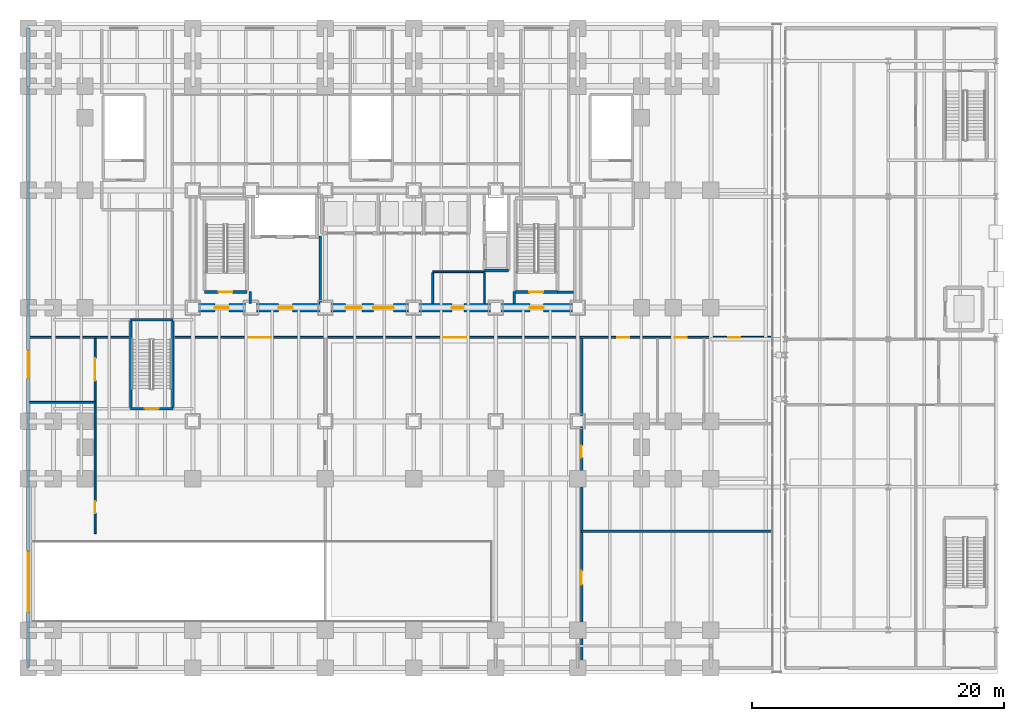
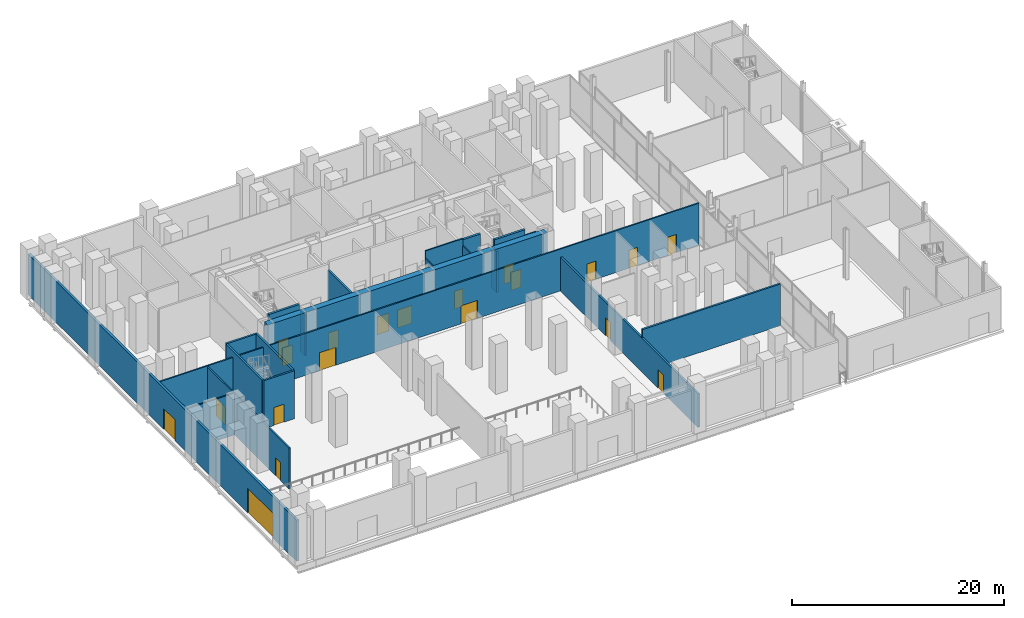
# One storey, part 23 of 36: 21 walls, 20 doors, 20 openings.
"""IFC4 building model written with IfcOpenShell, lengths in metres."""

from ifc_helpers import new_model, si_unit, direction, frame, frame_2d, origin, place, context, subcontext, project, spatial, rectangle, extrude, material, layer, layer_set, type_object, element, fill, save


model = new_model("IFC4")

# Units and contexts
model_context = context("Model", 3, precision=1e-05, world=origin(), true_north=direction((0.0, 1.0)))
body_context = subcontext(model_context, "Body", "Model", "MODEL_VIEW")
ifc_project = project(units=[si_unit("LENGTHUNIT", "METRE"), si_unit("AREAUNIT", "SQUARE_METRE"), si_unit("VOLUMEUNIT", "CUBIC_METRE"), si_unit("PLANEANGLEUNIT", "RADIAN"), si_unit("MASSUNIT", "GRAM", prefix="KILO")], contexts=[model_context])

# Site, building, storey
site_placement = place(None, origin())
site = spatial("IfcSite", under=ifc_project, at=site_placement, CompositionType="ELEMENT")
building_placement = place(site_placement, origin())
building = spatial("IfcBuilding", under=site, at=building_placement, Name="Noeulbin Bourse Tower", CompositionType="ELEMENT")
storey_placement = place(building_placement, origin())
storey = spatial("IfcBuildingStorey", under=building, at=storey_placement, Name="L01", CompositionType="ELEMENT", Elevation=0.0)

# Wall, openings, doors
ifc_material_1 = material(Name="Concrete C60/75", Category="concrete")
ifc_layer_1 = layer(ifc_material_1, 0.64990234375)
ifc_layer_set_1 = layer_set([ifc_layer_1], Name="Concrete C60/75")
wall_type_1 = type_object("IfcWallType", Name="WAL-CORE-650", PredefinedType="SHEAR", material=ifc_layer_set_1)
wall_1_placement = place(storey_placement, frame((13.5, 29.0, 0.0), z_axis=(0.0, 0.0, 1.0), x_axis=(1.0, 0.0, 0.0)))
wall_1 = element("IfcWall", 1, at=wall_1_placement, inside=storey, type_object=wall_type_1, Name="Rear Core South Shear Wall L01", PredefinedType="SHEAR", context=body_context, shape_type="SweptSolid", body=[
    extrude(rectangle(XDim=30.5, YDim=0.64990234375, at=frame_2d((15.25, 0.0))), origin(), (0.0, 0.0, 1.0), 5.550048828125),
])
opening_1_placement = place(wall_1_placement, frame((1.75, 0.0, 0.0)))
opening_1 = element("IfcOpeningElement", 2, at=opening_1_placement, cuts=wall_1, Name="Opening FD-11", PredefinedType="OPENING", context=body_context, shape_type="SweptSolid", body=[
    extrude(rectangle(XDim=1.10009765625, YDim=2.080078125, at=frame_2d((0.550048828125, 1.0400390625))), frame((0.0, 0.3349609375, 0.0), z_axis=(0.0, -1.0, 0.0), x_axis=(1.0, 0.0, 0.0)), (0.0, 0.0, 1.0), 0.669921875),
])
opening_2_placement = place(wall_1_placement, frame((26.699951171875, 0.0, 0.0)))
opening_2 = element("IfcOpeningElement", 3, at=opening_2_placement, cuts=wall_1, Name="Opening FD-11", PredefinedType="OPENING", context=body_context, shape_type="SweptSolid", body=[
    extrude(rectangle(XDim=1.10009765625, YDim=2.080078125, at=frame_2d((0.550048828125, 1.0400390625))), frame((0.0, 0.3349609375, 0.0), z_axis=(0.0, -1.0, 0.0), x_axis=(1.0, 0.0, 0.0)), (0.0, 0.0, 1.0), 0.669921875),
])
opening_3_placement = place(wall_1_placement, frame((6.800048828125, 0.0, 0.0)))
opening_3 = element("IfcOpeningElement", 4, at=opening_3_placement, cuts=wall_1, Name="Opening FD-11", PredefinedType="OPENING", context=body_context, shape_type="SweptSolid", body=[
    extrude(rectangle(XDim=1.10009765625, YDim=2.080078125, at=frame_2d((0.550048828125, 1.0400390625))), frame((0.0, 0.3349609375, 0.0), z_axis=(0.0, -1.0, 0.0), x_axis=(1.0, 0.0, 0.0)), (0.0, 0.0, 1.0), 0.669921875),
])
opening_4_placement = place(wall_1_placement, frame((14.300048828125, 0.0, 0.0)))
opening_4 = element("IfcOpeningElement", 5, at=opening_4_placement, cuts=wall_1, Name="Opening ID-16", PredefinedType="OPENING", context=body_context, shape_type="SweptSolid", body=[
    extrude(rectangle(XDim=1.60009765625, YDim=2.080078125, at=frame_2d((0.800048828125, 1.0400390625))), frame((0.0, 0.3349609375, 0.0), z_axis=(0.0, -1.0, 0.0), x_axis=(1.0, 0.0, 0.0)), (0.0, 0.0, 1.0), 0.669921875),
])
opening_5_placement = place(wall_1_placement, frame((20.52490234375, 0.0, 0.0)))
opening_5 = element("IfcOpeningElement", 6, at=opening_5_placement, cuts=wall_1, Name="Opening ID-09", PredefinedType="OPENING", context=body_context, shape_type="SweptSolid", body=[
    extrude(rectangle(XDim=0.949951171875, YDim=2.080078125, at=frame_2d((0.47509765625, 1.0400390625))), frame((0.0, 0.3349609375, 0.0), z_axis=(0.0, -1.0, 0.0), x_axis=(1.0, 0.0, 0.0)), (0.0, 0.0, 1.0), 0.669921875),
])
opening_6_placement = place(wall_1_placement, frame((12.10009765625, 0.0, 0.0)))
opening_6 = element("IfcOpeningElement", 7, at=opening_6_placement, cuts=wall_1, Name="Opening LD-13", PredefinedType="OPENING", context=body_context, shape_type="SweptSolid", body=[
    extrude(rectangle(XDim=1.300048828125, YDim=2.080078125, at=frame_2d((0.64990234375, 1.0400390625))), frame((0.0, 0.3349609375, 0.0), z_axis=(0.0, -1.0, 0.0), x_axis=(1.0, 0.0, 0.0)), (0.0, 0.0, 1.0), 0.669921875),
])
ifc_material_2 = material(Name="Acoustic Glazed Aluminium", Category="aluminium")
door_type_1 = type_object("IfcDoorType", Name="DR-DBL-1600", OperationType="DOUBLE_DOOR_SINGLE_SWING", PredefinedType="DOOR", material=ifc_material_2)
door_1_placement = place(opening_4_placement, origin())
door_1 = element("IfcDoor", 8, at=door_1_placement, inside=storey, type_object=door_type_1, Name="Passenger Lift Lobby Portal L01", OperationType="DOUBLE_DOOR_SINGLE_SWING", OverallHeight=2.080078125, OverallWidth=1.60009765625, PredefinedType="DOOR", context=body_context, shape_type="SweptSolid", body=[
    extrude(rectangle(XDim=1.60009765625, YDim=2.080078125, at=frame_2d((0.800048828125, 1.0400390625))), frame((0.0, 0.02490234375, 0.0), z_axis=(0.0, -1.0, 0.0), x_axis=(1.0, 0.0, 0.0)), (0.0, 0.0, 1.0), 0.050048828125),
])
fill(opening_4, door_1)
ifc_material_3 = material(Name="Fire-Rated Insulated Steel", Category="steel")
door_type_2 = type_object("IfcDoorType", Name="DR-FD60-1100", OperationType="SINGLE_SWING_LEFT", PredefinedType="DOOR", material=ifc_material_3)
door_2_placement = place(opening_1_placement, origin())
door_2 = element("IfcDoor", 9, at=door_2_placement, inside=storey, type_object=door_type_2, Name="West Stair Lobby Door L01", OperationType="SINGLE_SWING_RIGHT", OverallHeight=2.080078125, OverallWidth=1.10009765625, PredefinedType="DOOR", context=body_context, shape_type="SweptSolid", body=[
    extrude(rectangle(XDim=1.10009765625, YDim=2.080078125, at=frame_2d((0.550048828125, 1.0400390625))), frame((0.0, 0.02490234375, 0.0), z_axis=(0.0, -1.0, 0.0), x_axis=(1.0, 0.0, 0.0)), (0.0, 0.0, 1.0), 0.050048828125),
])
fill(opening_1, door_2)
door_3_placement = place(opening_2_placement, origin())
door_3 = element("IfcDoor", 10, at=door_3_placement, inside=storey, type_object=door_type_2, Name="East Stair Lobby Door L01", OperationType="SINGLE_SWING_LEFT", OverallHeight=2.080078125, OverallWidth=1.10009765625, PredefinedType="DOOR", context=body_context, shape_type="SweptSolid", body=[
    extrude(rectangle(XDim=1.10009765625, YDim=2.080078125, at=frame_2d((0.550048828125, 1.0400390625))), frame((0.0, 0.02490234375, 0.0), z_axis=(0.0, -1.0, 0.0), x_axis=(1.0, 0.0, 0.0)), (0.0, 0.0, 1.0), 0.050048828125),
])
fill(opening_2, door_3)
door_4_placement = place(opening_3_placement, origin())
door_4 = element("IfcDoor", 11, at=door_4_placement, inside=storey, type_object=door_type_2, Name="Firefighting Lobby Door L01", OperationType="SINGLE_SWING_RIGHT", OverallHeight=2.080078125, OverallWidth=1.10009765625, PredefinedType="DOOR", context=body_context, shape_type="SweptSolid", body=[
    extrude(rectangle(XDim=1.10009765625, YDim=2.080078125, at=frame_2d((0.550048828125, 1.0400390625))), frame((0.0, 0.02490234375, 0.0), z_axis=(0.0, -1.0, 0.0), x_axis=(1.0, 0.0, 0.0)), (0.0, 0.0, 1.0), 0.050048828125),
])
fill(opening_3, door_4)
ifc_material_4 = material(Name="Brushed Stainless Steel 316", Category="steel")
door_type_3 = type_object("IfcDoorType", Name="DR-LIFT-1300", OperationType="DOUBLE_DOOR_SLIDING", PredefinedType="DOOR", material=ifc_material_4)
door_5_placement = place(opening_6_placement, origin())
door_5 = element("IfcDoor", 12, at=door_5_placement, inside=storey, type_object=door_type_3, Name="Lift Landing Door LD-PL-S1-L01", OperationType="DOUBLE_DOOR_SLIDING", OverallHeight=2.080078125, OverallWidth=1.300048828125, PredefinedType="DOOR", context=body_context, shape_type="SweptSolid", body=[
    extrude(rectangle(XDim=1.300048828125, YDim=2.080078125, at=frame_2d((0.64990234375, 1.0400390625))), frame((0.0, 0.02490234375, 0.0), z_axis=(0.0, -1.0, 0.0), x_axis=(1.0, 0.0, 0.0)), (0.0, 0.0, 1.0), 0.050048828125),
])
fill(opening_6, door_5)
ifc_material_5 = material(Name="Acoustic Solid-Core Timber", Category="wood")
door_type_4 = type_object("IfcDoorType", Name="DR-SINGLE-950", OperationType="SINGLE_SWING_LEFT", PredefinedType="DOOR", material=ifc_material_5)
door_6_placement = place(opening_5_placement, origin())
door_6 = element("IfcDoor", 13, at=door_6_placement, inside=storey, type_object=door_type_4, Name="Interior Door L01-26", OperationType="SINGLE_SWING_RIGHT", OverallHeight=2.080078125, OverallWidth=0.949951171875, PredefinedType="DOOR", context=body_context, shape_type="SweptSolid", body=[
    extrude(rectangle(XDim=0.949951171875, YDim=2.080078125, at=frame_2d((0.47509765625, 1.0400390625))), frame((0.0, 0.02490234375, 0.0), z_axis=(0.0, -1.0, 0.0), x_axis=(1.0, 0.0, 0.0)), (0.0, 0.0, 1.0), 0.050048828125),
])
fill(opening_5, door_6)

ifc_material_6 = material(Name="Precast Concrete C40/50", Category="concrete")
ifc_layer_2 = layer(ifc_material_6, 0.25)
ifc_layer_set_2 = layer_set([ifc_layer_2], Name="Precast Concrete C40/50")
wall_type_2 = type_object("IfcWallType", Name="WAL-EXT-250", PredefinedType="STANDARD", material=ifc_layer_set_2)
wall_2_placement = place(storey_placement, frame((0.449951171875, 0.449951171875, 0.0), z_axis=(0.0, 0.0, 1.0), x_axis=(0.0, 1.0, 0.0)))
wall_2 = element("IfcWall", 14, at=wall_2_placement, inside=storey, type_object=wall_type_2, Name="Concourse West Ramp Portal Wall", PredefinedType="STANDARD", context=body_context, shape_type="SweptSolid", body=[
    extrude(rectangle(XDim=50.699951171875, YDim=0.25, at=frame_2d((25.35009765625, 0.0))), origin(), (0.0, 0.0, 1.0), 4.75),
])
opening_7_placement = place(wall_2_placement, frame((22.949951171875, 0.0, 0.0)))
opening_7 = element("IfcOpeningElement", 15, at=opening_7_placement, cuts=wall_2, Name="Opening ED-22", PredefinedType="OPENING", context=body_context, shape_type="SweptSolid", body=[
    extrude(rectangle(XDim=2.199951171875, YDim=2.39990234375, at=frame_2d((1.10009765625, 1.199951171875))), frame((0.0, 0.135009765625, 0.0), z_axis=(0.0, -1.0, 0.0), x_axis=(1.0, 0.0, 0.0)), (0.0, 0.0, 1.0), 0.27001953125),
])
opening_8_placement = place(wall_2_placement, frame((4.449951171875, 0.0, 0.0)))
opening_8 = element("IfcOpeningElement", 16, at=opening_8_placement, cuts=wall_2, Name="Opening RG-01", PredefinedType="OPENING", context=body_context, shape_type="SweptSolid", body=[
    extrude(rectangle(XDim=4.800048828125, YDim=2.85009765625, at=frame_2d((2.39990234375, 1.425048828125))), frame((0.0, 0.135009765625, 0.0), z_axis=(0.0, -1.0, 0.0), x_axis=(1.0, 0.0, 0.0)), (0.0, 0.0, 1.0), 0.27001953125),
])
ifc_material_7 = material(Name="Anodised Aluminium Framed Toughened Glass", Category="aluminium")
door_type_5 = type_object("IfcDoorType", Name="DR-EXT-2200", OperationType="DOUBLE_DOOR_SINGLE_SWING", PredefinedType="DOOR", material=ifc_material_7)
door_7_placement = place(opening_7_placement, origin())
door_7 = element("IfcDoor", 17, at=door_7_placement, inside=storey, type_object=door_type_5, Name="West Concourse Exit Portal ED-W1", OperationType="DOUBLE_DOOR_SINGLE_SWING", OverallHeight=2.39990234375, OverallWidth=2.199951171875, PredefinedType="DOOR", context=body_context, shape_type="SweptSolid", body=[
    extrude(rectangle(XDim=2.199951171875, YDim=2.39990234375, at=frame_2d((1.10009765625, 1.199951171875))), frame((0.0, 0.02490234375, 0.0), z_axis=(0.0, -1.0, 0.0), x_axis=(1.0, 0.0, 0.0)), (0.0, 0.0, 1.0), 0.050048828125),
])
fill(opening_7, door_7)
ifc_material_8 = material(Name="Galvanised Steel Insulated Roller Shutter", Category="steel")
door_type_6 = type_object("IfcDoorType", Name="DR-RMP-4800", OperationType="ROLLINGUP", PredefinedType="GATE", material=ifc_material_8)
door_8_placement = place(opening_8_placement, origin())
door_8 = element("IfcDoor", 18, at=door_8_placement, inside=storey, type_object=door_type_6, Name="Car Park Ramp Roller Shutter Gate RG-01", OperationType="ROLLINGUP", OverallHeight=2.85009765625, OverallWidth=4.800048828125, PredefinedType="GATE", context=body_context, shape_type="SweptSolid", body=[
    extrude(rectangle(XDim=4.800048828125, YDim=2.85009765625, at=frame_2d((2.39990234375, 1.425048828125))), frame((0.0, 0.02490234375, 0.0), z_axis=(0.0, -1.0, 0.0), x_axis=(1.0, 0.0, 0.0)), (0.0, 0.0, 1.0), 0.050048828125),
])
fill(opening_8, door_8)

# Wall, opening, door
ifc_material_9 = material(Name="Concrete C40/50", Category="concrete")
ifc_layer_3 = layer(ifc_material_9, 0.199951171875)
ifc_layer_set_3 = layer_set([ifc_layer_3], Name="Concrete C40/50")
wall_type_3 = type_object("IfcWallType", Name="WAL-FIRE-200", PredefinedType="STANDARD", material=ifc_layer_set_3)
wall_3_placement = place(storey_placement, frame((8.56005859375, 21.0, 0.0), z_axis=(0.0, 0.0, 1.0), x_axis=(1.0, 0.0, 0.0)))
wall_3 = element("IfcWall", 19, at=wall_3_placement, inside=storey, type_object=wall_type_3, Name="Stair STP1 South Wall L01", PredefinedType="STANDARD", context=body_context, shape_type="SweptSolid", body=[
    extrude(rectangle(XDim=3.35986328125, YDim=0.199951171875, at=frame_2d((1.679931640625, 0.0))), origin(), (0.0, 0.0, 1.0), 5.550048828125),
])
opening_9_placement = place(wall_3_placement, frame((1.1298828125, 0.0, 0.0)))
opening_9 = element("IfcOpeningElement", 20, at=opening_9_placement, cuts=wall_3, Name="Opening FD-11", PredefinedType="OPENING", context=body_context, shape_type="SweptSolid", body=[
    extrude(rectangle(XDim=1.10009765625, YDim=2.080078125, at=frame_2d((0.550048828125, 1.0400390625))), frame((0.0, 0.10986328125, 0.0), z_axis=(0.0, -1.0, 0.0), x_axis=(1.0, 0.0, 0.0)), (0.0, 0.0, 1.0), 0.219970703125),
])
door_9_placement = place(opening_9_placement, origin())
door_9 = element("IfcDoor", 21, at=door_9_placement, inside=storey, type_object=door_type_2, Name="Escape Stair Door STP1-L01", OperationType="SINGLE_SWING_RIGHT", OverallHeight=2.080078125, OverallWidth=1.10009765625, PredefinedType="DOOR", context=body_context, shape_type="SweptSolid", body=[
    extrude(rectangle(XDim=1.10009765625, YDim=2.080078125, at=frame_2d((0.550048828125, 1.0400390625))), frame((0.0, 0.02490234375, 0.0), z_axis=(0.0, -1.0, 0.0), x_axis=(1.0, 0.0, 0.0)), (0.0, 0.0, 1.0), 0.050048828125),
])
fill(opening_9, door_9)

# Walls
wall_4_placement = place(storey_placement, frame((8.56005859375, 28.0400390625, 0.0), z_axis=(0.0, 0.0, 1.0), x_axis=(1.0, 0.0, 0.0)))
element("IfcWall", 22, at=wall_4_placement, inside=storey, type_object=wall_type_3, Name="Stair STP1 North Wall L01", PredefinedType="STANDARD", context=body_context, shape_type="SweptSolid", body=[
    extrude(rectangle(XDim=3.35986328125, YDim=0.199951171875, at=frame_2d((1.679931640625, 0.0))), origin(), (0.0, 0.0, 1.0), 5.550048828125),
])
for number, where, z_axis, x_axis, name in (
    (23, (8.580078125, 21.10009765625, 0.0), (0.0, 0.0, 1.0), (0.0, 1.0, 0.0), "Stair STP1 West Wall L01"),
    (24, (11.89990234375, 21.10009765625, 0.0), (0.0, 0.0, 1.0), (0.0, 1.0, 0.0), "Stair STP1 East Wall L01"),
):
    element("IfcWall", number, at=place(storey_placement, frame(where, z_axis=z_axis, x_axis=x_axis)), inside=storey, type_object=wall_type_3, Name=name, PredefinedType="STANDARD", context=body_context, shape_type="SweptSolid", body=[
        extrude(rectangle(XDim=6.83984375, YDim=0.199951171875, at=frame_2d((3.419921875, 0.0))), origin(), (0.0, 0.0, 1.0), 5.550048828125),
    ])
wall_5_placement = place(storey_placement, frame((44.300048828125, 11.300048828125, 0.0), z_axis=(0.0, 0.0, 1.0), x_axis=(1.0, 0.0, 0.0)))
element("IfcWall", 25, at=wall_5_placement, inside=storey, type_object=wall_type_3, Name="Interior Partition Wall L01-07", PredefinedType="STANDARD", context=body_context, shape_type="SweptSolid", body=[
    extrude(rectangle(XDim=15.050048828125, YDim=0.199951171875, at=frame_2d((7.52490234375, 0.0))), origin(), (0.0, 0.0, 1.0), 4.830078125),
])
wall_6_placement = place(storey_placement, frame((42.39990234375, 30.239990234375, 0.0), z_axis=(0.0, 0.0, 1.0), x_axis=(1.0, 0.0, 0.0)))
element("IfcWall", 26, at=wall_6_placement, inside=storey, type_object=wall_type_3, Name="Interior Partition Wall L01-14", PredefinedType="STANDARD", context=body_context, shape_type="SweptSolid", body=[
    extrude(rectangle(XDim=1.26513671875, YDim=0.199951171875, at=frame_2d((0.632568359375, 0.0))), origin(), (0.0, 0.0, 1.0), 4.830078125),
])

# Wall, openings, doors
wall_7_placement = place(storey_placement, frame((44.300048828125, 0.570068359375, 0.0), z_axis=(0.0, 0.0, 1.0), x_axis=(0.0, 1.0, 0.0)))
wall_7 = element("IfcWall", 27, at=wall_7_placement, inside=storey, type_object=wall_type_3, Name="Interior Partition Wall L01-28", PredefinedType="STANDARD", context=body_context, shape_type="SweptSolid", body=[
    extrude(rectangle(XDim=25.994873046875, YDim=0.199951171875, at=frame_2d((12.99755859375, 0.0))), origin(), (0.0, 0.0, 1.0), 3.89990234375),
])
opening_10_placement = place(wall_7_placement, frame((6.47998046875, 0.0, 0.0)))
opening_10 = element("IfcOpeningElement", 28, at=opening_10_placement, cuts=wall_7, Name="Opening FD-11", PredefinedType="OPENING", context=body_context, shape_type="SweptSolid", body=[
    extrude(rectangle(XDim=1.10009765625, YDim=2.080078125, at=frame_2d((0.550048828125, 1.0400390625))), frame((0.0, 0.10986328125, 0.0), z_axis=(0.0, -1.0, 0.0), x_axis=(1.0, 0.0, 0.0)), (0.0, 0.0, 1.0), 0.219970703125),
])
opening_11_placement = place(wall_7_placement, frame((16.554931640625, 0.0, 0.0)))
opening_11 = element("IfcOpeningElement", 29, at=opening_11_placement, cuts=wall_7, Name="Opening ID-09", PredefinedType="OPENING", context=body_context, shape_type="SweptSolid", body=[
    extrude(rectangle(XDim=0.949951171875, YDim=2.080078125, at=frame_2d((0.47509765625, 1.0400390625))), frame((0.0, 0.10986328125, 0.0), z_axis=(0.0, -1.0, 0.0), x_axis=(1.0, 0.0, 0.0)), (0.0, 0.0, 1.0), 0.219970703125),
])
door_10_placement = place(opening_10_placement, origin())
door_10 = element("IfcDoor", 30, at=door_10_placement, inside=storey, type_object=door_type_2, Name="Interior Door L01-04", OperationType="SINGLE_SWING_RIGHT", OverallHeight=2.080078125, OverallWidth=1.10009765625, PredefinedType="DOOR", context=body_context, shape_type="SweptSolid", body=[
    extrude(rectangle(XDim=1.10009765625, YDim=2.080078125, at=frame_2d((0.550048828125, 1.0400390625))), frame((0.0, 0.02490234375, 0.0), z_axis=(0.0, -1.0, 0.0), x_axis=(1.0, 0.0, 0.0)), (0.0, 0.0, 1.0), 0.050048828125),
])
fill(opening_10, door_10)
door_11_placement = place(opening_11_placement, origin())
door_11 = element("IfcDoor", 31, at=door_11_placement, inside=storey, type_object=door_type_4, Name="Interior Door L01-05", OperationType="SINGLE_SWING_LEFT", OverallHeight=2.080078125, OverallWidth=0.949951171875, PredefinedType="DOOR", context=body_context, shape_type="SweptSolid", body=[
    extrude(rectangle(XDim=0.949951171875, YDim=2.080078125, at=frame_2d((0.47509765625, 1.0400390625))), frame((0.0, 0.02490234375, 0.0), z_axis=(0.0, -1.0, 0.0), x_axis=(1.0, 0.0, 0.0)), (0.0, 0.0, 1.0), 0.050048828125),
])
fill(opening_11, door_11)

# Walls
for number, where, z_axis, x_axis, name in (
    (32, (18.050048828125, 29.3349609375, 0.0), (0.0, 0.0, 1.0), (0.0, 1.0, 0.0), "Interior Partition Wall L01-35"),
    (33, (38.949951171875, 29.3349609375, 0.0), (0.0, 0.0, 1.0), (0.0, 1.0, 0.0), "Interior Partition Wall L01-36"),
):
    element("IfcWall", number, at=place(storey_placement, frame(where, z_axis=z_axis, x_axis=x_axis)), inside=storey, type_object=wall_type_3, Name=name, PredefinedType="STANDARD", context=body_context, shape_type="SweptSolid", body=[
        extrude(rectangle(XDim=0.965087890625, YDim=0.199951171875, at=frame_2d((0.482421875, 0.0))), origin(), (0.0, 0.0, 1.0), 4.72998046875),
    ])
wall_8_placement = place(storey_placement, frame((23.60009765625, 29.3349609375, 0.0), z_axis=(0.0, 0.0, 1.0), x_axis=(0.0, 1.0, 0.0)))
element("IfcWall", 34, at=wall_8_placement, inside=storey, type_object=wall_type_3, Name="Interior Partition Wall L01-37", PredefinedType="STANDARD", context=body_context, shape_type="SweptSolid", body=[
    extrude(rectangle(XDim=5.364990234375, YDim=0.199951171875, at=frame_2d((2.6826171875, 0.0))), origin(), (0.0, 0.0, 1.0), 4.72998046875),
])
ifc_material_10 = material(Name="Steel Stud Gypsum Partition", Category="steel")
ifc_layer_4 = layer(ifc_material_10, 0.1201171875)
ifc_layer_set_4 = layer_set([ifc_layer_4], Name="Steel Stud Gypsum Partition")
wall_type_4 = type_object("IfcWallType", Name="WAL-PRT-120", PredefinedType="PARTITIONING", material=ifc_layer_set_4)
wall_9_placement = place(storey_placement, frame((36.60009765625, 29.3349609375, 0.0), z_axis=(0.0, 0.0, 1.0), x_axis=(0.0, 1.0, 0.0)))
element("IfcWall", 35, at=wall_9_placement, inside=storey, type_object=wall_type_4, Name="Interior Partition Wall L01-39", PredefinedType="PARTITIONING", context=body_context, shape_type="SweptSolid", body=[
    extrude(rectangle(XDim=2.429931640625, YDim=0.1201171875, at=frame_2d((1.21484375, 0.0))), origin(), (0.0, 0.0, 1.0), 4.72998046875),
])
ifc_material_11 = material(Name="Steel Stud Acoustic Gypsum Board", Category="steel")
ifc_layer_5 = layer(ifc_material_11, 0.14990234375)
ifc_layer_set_5 = layer_set([ifc_layer_5], Name="Steel Stud Acoustic Gypsum Board")
wall_type_5 = type_object("IfcWallType", Name="WAL-PRT-150", PredefinedType="PARTITIONING", material=ifc_layer_set_5)
wall_10_placement = place(storey_placement, frame((0.570068359375, 21.5, 0.0), z_axis=(0.0, 0.0, 1.0), x_axis=(1.0, 0.0, 0.0)))
element("IfcWall", 36, at=wall_10_placement, inside=storey, type_object=wall_type_5, Name="Interior Partition Wall L01-02", PredefinedType="PARTITIONING", context=body_context, shape_type="SweptSolid", body=[
    extrude(rectangle(XDim=5.179931640625, YDim=0.14990234375, at=frame_2d((2.58984375, 0.0))), origin(), (0.0, 0.0, 1.0), 4.830078125),
])

# Wall, openings, doors
wall_11_placement = place(storey_placement, frame((0.570068359375, 26.64990234375, 0.0), z_axis=(0.0, 0.0, 1.0), x_axis=(1.0, 0.0, 0.0)))
wall_11 = element("IfcWall", 37, at=wall_11_placement, inside=storey, type_object=wall_type_5, Name="Interior Partition Wall L01-06", PredefinedType="PARTITIONING", context=body_context, shape_type="SweptSolid", body=[
    extrude(rectangle(XDim=58.780029296875, YDim=0.14990234375, at=frame_2d((29.39013671875, 0.0))), origin(), (0.0, 0.0, 1.0), 4.830078125),
])
opening_12_placement = place(wall_11_placement, frame((17.330078125, 0.0, 0.0)))
opening_12 = element("IfcOpeningElement", 38, at=opening_12_placement, cuts=wall_11, Name="Opening ID-18", PredefinedType="OPENING", context=body_context, shape_type="SweptSolid", body=[
    extrude(rectangle(XDim=1.800048828125, YDim=2.080078125, at=frame_2d((0.89990234375, 1.0400390625))), frame((0.0, 0.0849609375, 0.0), z_axis=(0.0, -1.0, 0.0), x_axis=(1.0, 0.0, 0.0)), (0.0, 0.0, 1.0), 0.169921875),
])
opening_13_placement = place(wall_11_placement, frame((32.780029296875, 0.0, 0.0)))
opening_13 = element("IfcOpeningElement", 39, at=opening_13_placement, cuts=wall_11, Name="Opening ID-18", PredefinedType="OPENING", context=body_context, shape_type="SweptSolid", body=[
    extrude(rectangle(XDim=1.800048828125, YDim=2.080078125, at=frame_2d((0.89990234375, 1.0400390625))), frame((0.0, 0.0849609375, 0.0), z_axis=(0.0, -1.0, 0.0), x_axis=(1.0, 0.0, 0.0)), (0.0, 0.0, 1.0), 0.169921875),
])
opening_14_placement = place(wall_11_placement, frame((46.554931640625, 0.0, 0.0)))
opening_14 = element("IfcOpeningElement", 40, at=opening_14_placement, cuts=wall_11, Name="Opening ID-09", PredefinedType="OPENING", context=body_context, shape_type="SweptSolid", body=[
    extrude(rectangle(XDim=0.949951171875, YDim=2.080078125, at=frame_2d((0.47509765625, 1.0400390625))), frame((0.0, 0.0849609375, 0.0), z_axis=(0.0, -1.0, 0.0), x_axis=(1.0, 0.0, 0.0)), (0.0, 0.0, 1.0), 0.169921875),
])
opening_15_placement = place(wall_11_placement, frame((51.10498046875, 0.0, 0.0)))
opening_15 = element("IfcOpeningElement", 41, at=opening_15_placement, cuts=wall_11, Name="Opening ID-09", PredefinedType="OPENING", context=body_context, shape_type="SweptSolid", body=[
    extrude(rectangle(XDim=0.949951171875, YDim=2.080078125, at=frame_2d((0.47509765625, 1.0400390625))), frame((0.0, 0.0849609375, 0.0), z_axis=(0.0, -1.0, 0.0), x_axis=(1.0, 0.0, 0.0)), (0.0, 0.0, 1.0), 0.169921875),
])
opening_16_placement = place(wall_11_placement, frame((55.35498046875, 0.0, 0.0)))
opening_16 = element("IfcOpeningElement", 42, at=opening_16_placement, cuts=wall_11, Name="Opening ID-09", PredefinedType="OPENING", context=body_context, shape_type="SweptSolid", body=[
    extrude(rectangle(XDim=0.949951171875, YDim=2.080078125, at=frame_2d((0.47509765625, 1.0400390625))), frame((0.0, 0.0849609375, 0.0), z_axis=(0.0, -1.0, 0.0), x_axis=(1.0, 0.0, 0.0)), (0.0, 0.0, 1.0), 0.169921875),
])
ifc_material_12 = material(Name="Fire-Rated Glazed Steel", Category="steel")
door_type_7 = type_object("IfcDoorType", Name="DR-DBL-1800", OperationType="DOUBLE_DOOR_SINGLE_SWING", PredefinedType="DOOR", material=ifc_material_12)
door_12_placement = place(opening_12_placement, origin())
door_12 = element("IfcDoor", 43, at=door_12_placement, inside=storey, type_object=door_type_7, Name="Interior Door L01-01", OperationType="DOUBLE_DOOR_SINGLE_SWING", OverallHeight=2.080078125, OverallWidth=1.800048828125, PredefinedType="DOOR", context=body_context, shape_type="SweptSolid", body=[
    extrude(rectangle(XDim=1.800048828125, YDim=2.080078125, at=frame_2d((0.89990234375, 1.0400390625))), frame((0.0, 0.02490234375, 0.0), z_axis=(0.0, -1.0, 0.0), x_axis=(1.0, 0.0, 0.0)), (0.0, 0.0, 1.0), 0.050048828125),
])
fill(opening_12, door_12)
door_13_placement = place(opening_13_placement, origin())
door_13 = element("IfcDoor", 44, at=door_13_placement, inside=storey, type_object=door_type_7, Name="Interior Door L01-02", OperationType="DOUBLE_DOOR_SINGLE_SWING", OverallHeight=2.080078125, OverallWidth=1.800048828125, PredefinedType="DOOR", context=body_context, shape_type="SweptSolid", body=[
    extrude(rectangle(XDim=1.800048828125, YDim=2.080078125, at=frame_2d((0.89990234375, 1.0400390625))), frame((0.0, 0.02490234375, 0.0), z_axis=(0.0, -1.0, 0.0), x_axis=(1.0, 0.0, 0.0)), (0.0, 0.0, 1.0), 0.050048828125),
])
fill(opening_13, door_13)
door_14_placement = place(opening_14_placement, origin())
door_14 = element("IfcDoor", 45, at=door_14_placement, inside=storey, type_object=door_type_4, Name="Interior Door L01-06", OperationType="SINGLE_SWING_RIGHT", OverallHeight=2.080078125, OverallWidth=0.949951171875, PredefinedType="DOOR", context=body_context, shape_type="SweptSolid", body=[
    extrude(rectangle(XDim=0.949951171875, YDim=2.080078125, at=frame_2d((0.47509765625, 1.0400390625))), frame((0.0, 0.02490234375, 0.0), z_axis=(0.0, -1.0, 0.0), x_axis=(1.0, 0.0, 0.0)), (0.0, 0.0, 1.0), 0.050048828125),
])
fill(opening_14, door_14)
door_15_placement = place(opening_15_placement, origin())
door_15 = element("IfcDoor", 46, at=door_15_placement, inside=storey, type_object=door_type_4, Name="Interior Door L01-07", OperationType="SINGLE_SWING_LEFT", OverallHeight=2.080078125, OverallWidth=0.949951171875, PredefinedType="DOOR", context=body_context, shape_type="SweptSolid", body=[
    extrude(rectangle(XDim=0.949951171875, YDim=2.080078125, at=frame_2d((0.47509765625, 1.0400390625))), frame((0.0, 0.02490234375, 0.0), z_axis=(0.0, -1.0, 0.0), x_axis=(1.0, 0.0, 0.0)), (0.0, 0.0, 1.0), 0.050048828125),
])
fill(opening_15, door_15)
door_16_placement = place(opening_16_placement, origin())
door_16 = element("IfcDoor", 47, at=door_16_placement, inside=storey, type_object=door_type_4, Name="Interior Door L01-08", OperationType="SINGLE_SWING_RIGHT", OverallHeight=2.080078125, OverallWidth=0.949951171875, PredefinedType="DOOR", context=body_context, shape_type="SweptSolid", body=[
    extrude(rectangle(XDim=0.949951171875, YDim=2.080078125, at=frame_2d((0.47509765625, 1.0400390625))), frame((0.0, 0.02490234375, 0.0), z_axis=(0.0, -1.0, 0.0), x_axis=(1.0, 0.0, 0.0)), (0.0, 0.0, 1.0), 0.050048828125),
])
fill(opening_16, door_16)

# Wall
wall_12_placement = place(storey_placement, frame((32.5, 31.85009765625, 0.0), z_axis=(0.0, 0.0, 1.0), x_axis=(1.0, 0.0, 0.0)))
element("IfcWall", 48, at=wall_12_placement, inside=storey, type_object=wall_type_5, Name="Interior Partition Wall L01-15", PredefinedType="PARTITIONING", context=body_context, shape_type="SweptSolid", body=[
    extrude(rectangle(XDim=4.10009765625, YDim=0.14990234375, at=frame_2d((2.050048828125, 0.0))), origin(), (0.0, 0.0, 1.0), 5.550048828125),
])

# Wall, openings, doors
wall_13_placement = place(storey_placement, frame((5.75, 11.10009765625, 0.0), z_axis=(0.0, 0.0, 1.0), x_axis=(0.0, 1.0, 0.0)))
wall_13 = element("IfcWall", 49, at=wall_13_placement, inside=storey, type_object=wall_type_5, Name="Interior Partition Wall L01-19", PredefinedType="PARTITIONING", context=body_context, shape_type="SweptSolid", body=[
    extrude(rectangle(XDim=15.46484375, YDim=0.14990234375, at=frame_2d((7.732421875, 0.0))), origin(), (0.0, 0.0, 1.0), 4.72998046875),
])
opening_17_placement = place(wall_13_placement, frame((12.10009765625, 0.0, 0.0)))
opening_17 = element("IfcOpeningElement", 50, at=opening_17_placement, cuts=wall_13, Name="Opening ID-18", PredefinedType="OPENING", context=body_context, shape_type="SweptSolid", body=[
    extrude(rectangle(XDim=1.800048828125, YDim=2.080078125, at=frame_2d((0.89990234375, 1.0400390625))), frame((0.0, 0.0849609375, 0.0), z_axis=(0.0, -1.0, 0.0), x_axis=(1.0, 0.0, 0.0)), (0.0, 0.0, 1.0), 0.169921875),
])
opening_18_placement = place(wall_13_placement, frame((1.625, 0.0, 0.0)))
opening_18 = element("IfcOpeningElement", 51, at=opening_18_placement, cuts=wall_13, Name="Opening ID-09", PredefinedType="OPENING", context=body_context, shape_type="SweptSolid", body=[
    extrude(rectangle(XDim=0.949951171875, YDim=2.080078125, at=frame_2d((0.47509765625, 1.0400390625))), frame((0.0, 0.0849609375, 0.0), z_axis=(0.0, -1.0, 0.0), x_axis=(1.0, 0.0, 0.0)), (0.0, 0.0, 1.0), 0.169921875),
])
door_17_placement = place(opening_17_placement, origin())
door_17 = element("IfcDoor", 52, at=door_17_placement, inside=storey, type_object=door_type_7, Name="Interior Door L01-09", OperationType="DOUBLE_DOOR_SINGLE_SWING", OverallHeight=2.080078125, OverallWidth=1.800048828125, PredefinedType="DOOR", context=body_context, shape_type="SweptSolid", body=[
    extrude(rectangle(XDim=1.800048828125, YDim=2.080078125, at=frame_2d((0.89990234375, 1.0400390625))), frame((0.0, 0.02490234375, 0.0), z_axis=(0.0, -1.0, 0.0), x_axis=(1.0, 0.0, 0.0)), (0.0, 0.0, 1.0), 0.050048828125),
])
fill(opening_17, door_17)
door_18_placement = place(opening_18_placement, origin())
door_18 = element("IfcDoor", 53, at=door_18_placement, inside=storey, type_object=door_type_4, Name="Interior Door L01-10", OperationType="SINGLE_SWING_RIGHT", OverallHeight=2.080078125, OverallWidth=0.949951171875, PredefinedType="DOOR", context=body_context, shape_type="SweptSolid", body=[
    extrude(rectangle(XDim=0.949951171875, YDim=2.080078125, at=frame_2d((0.47509765625, 1.0400390625))), frame((0.0, 0.02490234375, 0.0), z_axis=(0.0, -1.0, 0.0), x_axis=(1.0, 0.0, 0.0)), (0.0, 0.0, 1.0), 0.050048828125),
])
fill(opening_18, door_18)

# Wall
wall_14_placement = place(storey_placement, frame((32.5, 29.3349609375, 0.0), z_axis=(0.0, 0.0, 1.0), x_axis=(0.0, 1.0, 0.0)))
element("IfcWall", 54, at=wall_14_placement, inside=storey, type_object=wall_type_5, Name="Interior Partition Wall L01-38", PredefinedType="PARTITIONING", context=body_context, shape_type="SweptSolid", body=[
    extrude(rectangle(XDim=2.429931640625, YDim=0.14990234375, at=frame_2d((1.21484375, 0.0))), origin(), (0.0, 0.0, 1.0), 4.72998046875),
])

# Wall, opening, door
ifc_layer_6 = layer(ifc_material_9, 0.25)
ifc_layer_set_6 = layer_set([ifc_layer_6], Name="Concrete C40/50")
wall_type_6 = type_object("IfcWallType", Name="WAL-SHFT-250", PredefinedType="STANDARD", material=ifc_layer_set_6)
wall_15_placement = place(storey_placement, frame((14.429931640625, 30.235107421875, 0.0), z_axis=(0.0, 0.0, 1.0), x_axis=(1.0, 0.0, 0.0)))
wall_15 = element("IfcWall", 55, at=wall_15_placement, inside=storey, type_object=wall_type_6, Name="Stair ST-1 South Shaft Wall L01", PredefinedType="STANDARD", context=body_context, shape_type="SweptSolid", body=[
    extrude(rectangle(XDim=3.340087890625, YDim=0.25, at=frame_2d((1.669921875, 0.0))), origin(), (0.0, 0.0, 1.0), 5.550048828125),
])
opening_19_placement = place(wall_15_placement, frame((1.10009765625, 0.0, 0.0)))
opening_19 = element("IfcOpeningElement", 56, at=opening_19_placement, cuts=wall_15, Name="Opening FD-11", PredefinedType="OPENING", context=body_context, shape_type="SweptSolid", body=[
    extrude(rectangle(XDim=1.10009765625, YDim=2.080078125, at=frame_2d((0.550048828125, 1.0400390625))), frame((0.0, 0.135009765625, 0.0), z_axis=(0.0, -1.0, 0.0), x_axis=(1.0, 0.0, 0.0)), (0.0, 0.0, 1.0), 0.27001953125),
])
door_19_placement = place(opening_19_placement, origin())
door_19 = element("IfcDoor", 57, at=door_19_placement, inside=storey, type_object=door_type_2, Name="Protected Stair Entry Door ST1-L01", OperationType="SINGLE_SWING_LEFT", OverallHeight=2.080078125, OverallWidth=1.10009765625, PredefinedType="DOOR", context=body_context, shape_type="SweptSolid", body=[
    extrude(rectangle(XDim=1.10009765625, YDim=2.080078125, at=frame_2d((0.550048828125, 1.0400390625))), frame((0.0, 0.02490234375, 0.0), z_axis=(0.0, -1.0, 0.0), x_axis=(1.0, 0.0, 0.0)), (0.0, 0.0, 1.0), 0.050048828125),
])
fill(opening_19, door_19)

wall_16_placement = place(storey_placement, frame((39.06005859375, 30.235107421875, 0.0), z_axis=(0.0, 0.0, 1.0), x_axis=(1.0, 0.0, 0.0)))
wall_16 = element("IfcWall", 58, at=wall_16_placement, inside=storey, type_object=wall_type_6, Name="Stair ST-2 South Shaft Wall L01", PredefinedType="STANDARD", context=body_context, shape_type="SweptSolid", body=[
    extrude(rectangle(XDim=3.33984375, YDim=0.25, at=frame_2d((1.669921875, 0.0))), origin(), (0.0, 0.0, 1.0), 5.550048828125),
])
opening_20_placement = place(wall_16_placement, frame((1.10009765625, 0.0, 0.0)))
opening_20 = element("IfcOpeningElement", 59, at=opening_20_placement, cuts=wall_16, Name="Opening FD-11", PredefinedType="OPENING", context=body_context, shape_type="SweptSolid", body=[
    extrude(rectangle(XDim=1.10009765625, YDim=2.080078125, at=frame_2d((0.550048828125, 1.0400390625))), frame((0.0, 0.135009765625, 0.0), z_axis=(0.0, -1.0, 0.0), x_axis=(1.0, 0.0, 0.0)), (0.0, 0.0, 1.0), 0.27001953125),
])
door_20_placement = place(opening_20_placement, origin())
door_20 = element("IfcDoor", 60, at=door_20_placement, inside=storey, type_object=door_type_2, Name="Protected Stair Entry Door ST2-L01", OperationType="SINGLE_SWING_RIGHT", OverallHeight=2.080078125, OverallWidth=1.10009765625, PredefinedType="DOOR", context=body_context, shape_type="SweptSolid", body=[
    extrude(rectangle(XDim=1.10009765625, YDim=2.080078125, at=frame_2d((0.550048828125, 1.0400390625))), frame((0.0, 0.02490234375, 0.0), z_axis=(0.0, -1.0, 0.0), x_axis=(1.0, 0.0, 0.0)), (0.0, 0.0, 1.0), 0.050048828125),
])
fill(opening_20, door_20)

# Wall
wall_17_placement = place(storey_placement, frame((36.6201171875, 31.949951171875, 0.0), z_axis=(0.0, 0.0, 1.0), x_axis=(1.0, 0.0, 0.0)))
element("IfcWall", 61, at=wall_17_placement, inside=storey, type_object=wall_type_6, Name="Service Lift South Shaft Wall L01", PredefinedType="STANDARD", context=body_context, shape_type="SweptSolid", body=[
    extrude(rectangle(XDim=1.89990234375, YDim=0.25, at=frame_2d((0.949951171875, 0.0))), origin(), (0.0, 0.0, 1.0), 5.3798828125),
])

save(model, "model.ifc")
